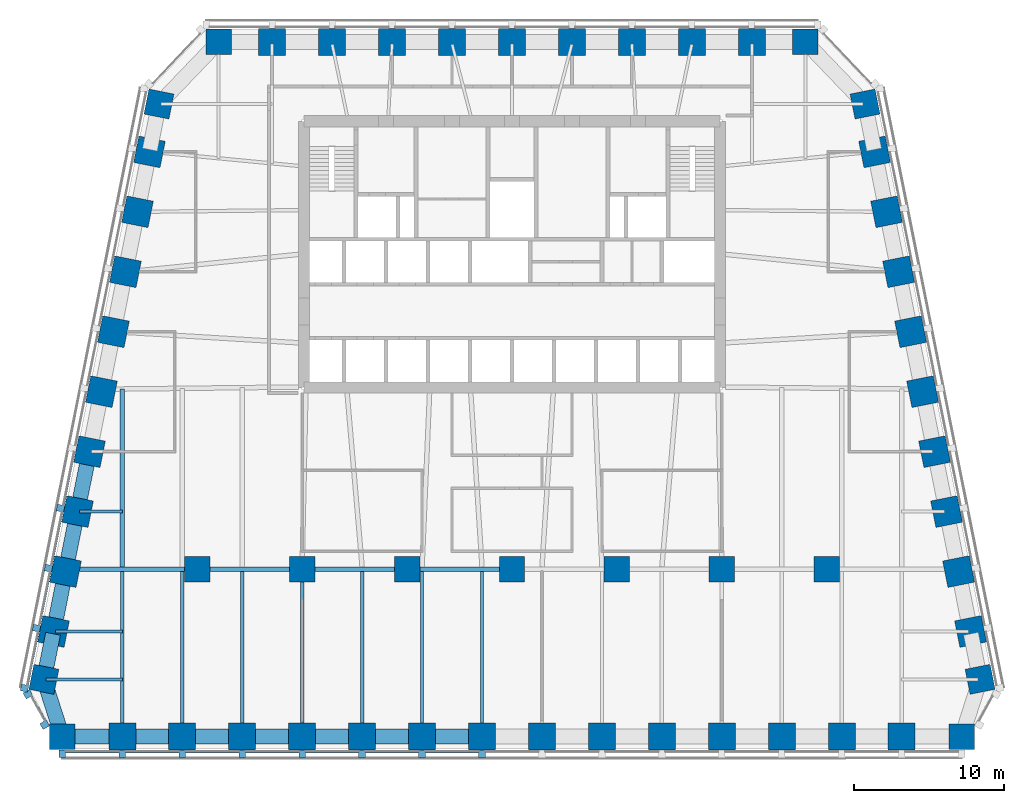
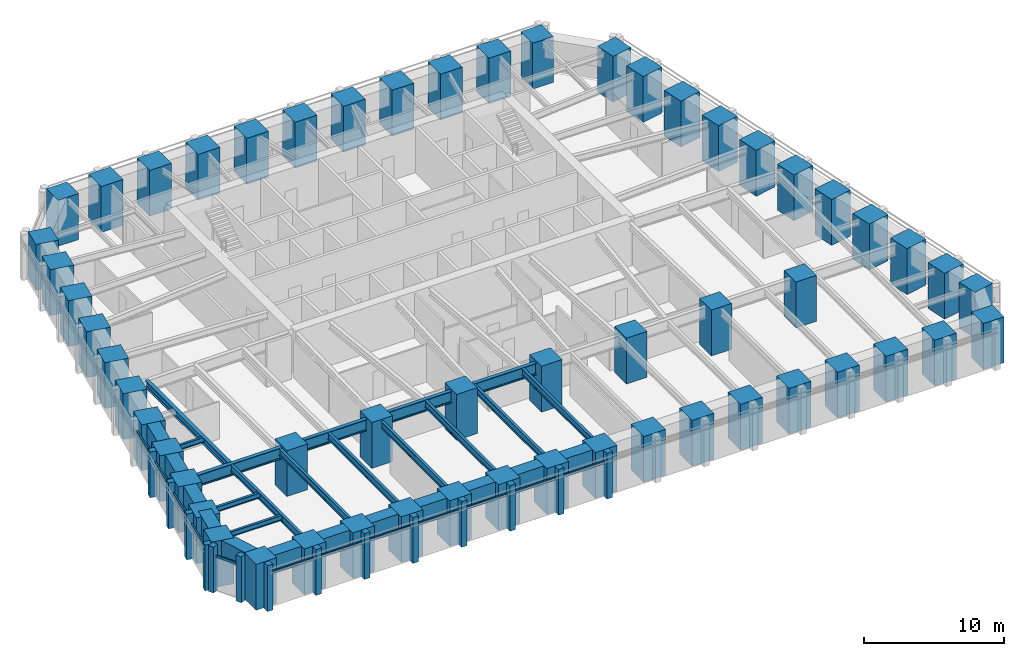
# One storey, part 1 of 10: 56 columns, 27 beams, 26 members, 3 elements without a shape of their own.
"""IFC4 building model written with IfcOpenShell, lengths in metres."""

import ifcopenshell
import ifcopenshell.guid

model = None  # the IFC model being written
_history = None  # IfcOwnerHistory: only IFC2X3 demands one
_inside = {}  # id of a spatial element -> (the spatial element, [elements in it])
_under = {}  # id of a project, library or spatial element -> (it, [spatial elements below it])
_declared = {}  # id of a project -> (the project, [libraries it declares])
_typed = {}  # id of a type object -> (the type object, [elements of that type])
_made_of = {}  # id of a material, layer set ... -> (it, [elements and type objects made of it])


def new_model(schema):
    """Start an empty IFC model of exactly this schema.

    Asked for "IFC4X3", IfcOpenShell would pick the latest addendum, in which some entities
    have other attributes; the version numbers below select the first issue.
    IFC2X3 requires an IfcOwnerHistory on every rooted entity: one is made here for all.
    """
    global model, _history
    if schema == "IFC4X3":
        model = ifcopenshell.file(schema_version=(4, 3, 0, 0))
    else:
        model = ifcopenshell.file(schema=schema)
    _inside.clear()
    _under.clear()
    _declared.clear()
    _typed.clear()
    _made_of.clear()
    _history = None
    if model.schema == "IFC2X3":
        org = make("IfcOrganization", Name="unknown")
        user = make(
            "IfcPersonAndOrganization",
            ThePerson=make("IfcPerson", FamilyName="unknown"),
            TheOrganization=org,
        )
        app = make(
            "IfcApplication",
            ApplicationDeveloper=org,
            Version="unknown",
            ApplicationFullName="unknown",
            ApplicationIdentifier="unknown",
        )
        _history = make(
            "IfcOwnerHistory",
            OwningUser=user,
            OwningApplication=app,
            ChangeAction="ADDED",
            CreationDate=0,
        )
    return model


def make(cls, **values):
    """One entity of the class cls with the attributes given. An attribute that is None is left unset."""
    return model.create_entity(
        cls, **{name: value for name, value in values.items() if value is not None}
    )


def rooted(cls, **values):
    """An entity with a GlobalId (a new one), such as an element, a storey or a relation."""
    return make(cls, GlobalId=ifcopenshell.guid.new(), OwnerHistory=_history, **values)


def si_unit(unit_type, name, prefix=None):
    """IfcSIUnit, for example si_unit("LENGTHUNIT", "METRE", prefix="MILLI")."""
    return make("IfcSIUnit", UnitType=unit_type, Prefix=prefix, Name=name)


def assignment(units):
    """IfcUnitAssignment: the units of a project."""
    return None if units is None else make("IfcUnitAssignment", Units=units)


def point(xyz):
    """IfcCartesianPoint."""
    return None if xyz is None else make("IfcCartesianPoint", Coordinates=xyz)


def direction(xyz):
    """IfcDirection."""
    return None if xyz is None else make("IfcDirection", DirectionRatios=xyz)


def frame(location, z_axis=None, x_axis=None):
    """IfcAxis2Placement3D, a coordinate frame: its origin and axes. An axis left out is left unset."""
    return make(
        "IfcAxis2Placement3D",
        Location=point(location),
        Axis=direction(z_axis),
        RefDirection=direction(x_axis),
    )


def frame_2d(location, x_axis=None):
    """IfcAxis2Placement2D, a coordinate frame in the plane: its origin and x axis."""
    return make(
        "IfcAxis2Placement2D", Location=point(location), RefDirection=direction(x_axis)
    )


def origin():
    """The frame at (0, 0, 0) with its axes left unset."""
    return frame((0.0, 0.0, 0.0))


def origin_2d():
    """The frame at (0, 0) in the plane with its x axis left unset."""
    return frame_2d((0.0, 0.0))


def place(relative_to, where):
    """IfcLocalPlacement: puts the frame where relative to a parent placement (None: the world)."""
    return make(
        "IfcLocalPlacement", PlacementRelTo=relative_to, RelativePlacement=where
    )


def context(
    kind, dimensions, precision=None, world=None, true_north=None, identifier=None
):
    """IfcGeometricRepresentationContext, for example the 3D "Model" context."""
    return make(
        "IfcGeometricRepresentationContext",
        ContextIdentifier=identifier,
        ContextType=kind,
        CoordinateSpaceDimension=dimensions,
        Precision=precision,
        WorldCoordinateSystem=world,
        TrueNorth=true_north,
    )


def subcontext(parent, identifier, kind, view, scale=None):
    """IfcGeometricRepresentationSubContext, for example "Body" below "Model"."""
    return make(
        "IfcGeometricRepresentationSubContext",
        ContextIdentifier=identifier,
        ContextType=kind,
        ParentContext=parent,
        TargetScale=scale,
        TargetView=view,
    )


def project(units=None, contexts=None):
    """IfcProject with its units and contexts."""
    return rooted(
        "IfcProject",
        Name="project",
        RepresentationContexts=contexts,
        UnitsInContext=assignment(units),
    )


def spatial(cls, under=None, at=None, **own):
    """A site, building, storey or space (cls), placed at a placement, below another one or the project."""
    s = rooted(cls, ObjectPlacement=at, **own)
    if under is not None:
        _under.setdefault(under.id(), (under, []))[1].append(s)
    return s


def profile(cls, at=None, kind="AREA", **sizes):
    """A parametric profile (cls). Its sizes go by their IFC names, for example OverallWidth=200.0."""
    return make(cls, ProfileType=kind, Position=at, **sizes)


def rectangle(**sizes):
    """IfcRectangleProfileDef."""
    return profile("IfcRectangleProfileDef", **sizes)


def i_section(**sizes):
    """IfcIShapeProfileDef."""
    return profile("IfcIShapeProfileDef", **sizes)


def extrude(swept, where, along, depth):
    """IfcExtrudedAreaSolid: the profile swept, set in the frame where, extruded along a direction by depth."""
    return make(
        "IfcExtrudedAreaSolid",
        SweptArea=swept,
        Position=where,
        ExtrudedDirection=direction(along),
        Depth=depth,
    )


def shape(context_of_items, identifier, shape_type, items):
    """IfcShapeRepresentation: the items that make up one representation, for example the "Body"."""
    return make(
        "IfcShapeRepresentation",
        ContextOfItems=context_of_items,
        RepresentationIdentifier=identifier,
        RepresentationType=shape_type,
        Items=items,
    )


def material(Name=None, Category=None):
    """IfcMaterial."""
    return make("IfcMaterial", Name=Name, Category=Category)


def material_profile(
    of_material, cross_section, Name=None, Category=None, Priority=None
):
    """IfcMaterialProfile: a cross section and its material."""
    return make(
        "IfcMaterialProfile",
        Name=Name,
        Material=of_material,
        Profile=cross_section,
        Priority=Priority,
        Category=Category,
    )


def profile_set(profiles, Name=None, composite=None):
    """IfcMaterialProfileSet."""
    return make(
        "IfcMaterialProfileSet",
        Name=Name,
        MaterialProfiles=profiles,
        CompositeProfile=composite,
    )


def made_of(thing, what):
    """Note that an element or type object is made of a material, layer set ...; save() writes the relation."""
    if what is not None:
        _made_of.setdefault(what.id(), (what, []))[1].append(thing)
    return thing


def type_object(cls, material=None, **own):
    """A type object (cls), such as IfcWallType, which elements share."""
    return made_of(rooted(cls, **own), material)


def element(
    cls,
    number,
    at=None,
    inside=None,
    cuts=None,
    type_object=None,
    material=None,
    context=None,
    identifier="Body",
    shape_type=None,
    held_by="IfcProductDefinitionShape",
    body=None,
    shapes=None,
    **own,
):
    """One element of the class cls, such as IfcWall. Its Tag is "e" and its number.

    at: its placement. inside: the storey or other place that contains it. cuts: it is an
    opening in that element (IfcRelVoidsElement). A single representation is given by context,
    identifier, shape_type and body (its items); several are given by shapes. held_by: the class
    of the entity that holds the representations. save() writes the other relations.
    """
    e = rooted(cls, Tag="e%d" % number, ObjectPlacement=at, **own)
    if body is not None:
        shapes = [shape(context, identifier, shape_type, body)]
    if shapes is not None:
        e.Representation = make(held_by, Representations=shapes)
    if inside is not None:
        _inside.setdefault(inside.id(), (inside, []))[1].append(e)
    if cuts is not None:
        rooted(
            "IfcRelVoidsElement", RelatingBuildingElement=cuts, RelatedOpeningElement=e
        )
    if type_object is not None:
        _typed.setdefault(type_object.id(), (type_object, []))[1].append(e)
    return made_of(e, material)


def aggregate(whole, parts):
    """IfcRelAggregates: a whole, such as a stair, and the parts it consists of."""
    return rooted("IfcRelAggregates", RelatingObject=whole, RelatedObjects=parts)


def save(model, path):
    """Write the relations noted so far, then the file.

    IfcRelAggregates (storeys below a building ...), IfcRelContainedInSpatialStructure (elements
    in a storey), IfcRelDefinesByType, IfcRelAssociatesMaterial and IfcRelDeclares: one each for
    every whole, place, type object, material and project.
    """
    for whole, parts in _under.values():
        aggregate(whole, parts)
    for where, things in _inside.values():
        rooted(
            "IfcRelContainedInSpatialStructure",
            RelatedElements=things,
            RelatingStructure=where,
        )
    for kind, things in _typed.values():
        rooted("IfcRelDefinesByType", RelatedObjects=things, RelatingType=kind)
    for what, things in _made_of.values():
        rooted("IfcRelAssociatesMaterial", RelatedObjects=things, RelatingMaterial=what)
    for by, libraries in _declared.values():
        rooted("IfcRelDeclares", RelatingContext=by, RelatedDefinitions=libraries)
    model.write(path)


model = new_model("IFC4")

# Units and contexts
model_context = context("Model", 3, precision=1e-05, world=origin(), true_north=direction((0.0, 1.0)))
body_context = subcontext(model_context, "Body", "Model", "MODEL_VIEW")
ifc_project = project(units=[si_unit("LENGTHUNIT", "METRE"), si_unit("AREAUNIT", "SQUARE_METRE"), si_unit("VOLUMEUNIT", "CUBIC_METRE"), si_unit("PLANEANGLEUNIT", "RADIAN"), si_unit("MASSUNIT", "GRAM", prefix="KILO")], contexts=[model_context])

# Site, building, storey
site_placement = place(None, origin())
site = spatial("IfcSite", under=ifc_project, at=site_placement, CompositionType="ELEMENT")
building_placement = place(site_placement, origin())
building = spatial("IfcBuilding", under=site, at=building_placement, Name="Isbrekke Arena Tower", CompositionType="ELEMENT")
storey_placement = place(building_placement, frame((0.0, 0.0, 147.0)))
storey = spatial("IfcBuildingStorey", under=building, at=storey_placement, Name="L33", CompositionType="ELEMENT", Elevation=147.0)

# Columns
ifc_material_1 = material(Name="Concrete B80 (C80/95)", Category="concrete")
ifc_material_profile_1 = material_profile(ifc_material_1, rectangle(XDim=1.699951171875, YDim=1.699951171875, at=origin_2d()), Name="RC 1700x1700")
ifc_profile_set_1 = profile_set([ifc_material_profile_1], Name="Concrete B80 (C80/95)")
column_type_1 = type_object("IfcColumnType", Name="C12 RC 1700 x 1700", PredefinedType="COLUMN", material=ifc_profile_set_1)
for number, where, z_axis, x_axis, name in (
    (1, (-21.0, -6.0, 0.0), (0.0, 0.0, 1.0), (1.0, 0.0, 0.0), "C12 I01"),
    (2, (-14.0, -6.0, 0.0), (0.0, 0.0, 1.0), (1.0, 0.0, 0.0), "C12 I02"),
    (3, (-7.0, -6.0, 0.0), (0.0, 0.0, 1.0), (1.0, 0.0, 0.0), "C12 I03"),
    (4, (0.0, -6.0, 0.0), (0.0, 0.0, 1.0), (1.0, 0.0, 0.0), "C12 I04"),
    (5, (7.0, -6.0, 0.0), (0.0, 0.0, 1.0), (1.0, 0.0, 0.0), "C12 I05"),
    (6, (14.0, -6.0, 0.0), (0.0, 0.0, 1.0), (1.0, 0.0, 0.0), "C12 I06"),
    (7, (21.0, -6.0, 0.0), (0.0, 0.0, 1.0), (1.0, 0.0, 0.0), "C12 I07"),
):
    element("IfcColumn", number, at=place(storey_placement, frame(where, z_axis=z_axis, x_axis=x_axis)), inside=storey, type_object=column_type_1, Name=name, PredefinedType="COLUMN", context=body_context, shape_type="SweptSolid", body=[
        extrude(rectangle(XDim=1.699951171875, YDim=1.699951171875, at=origin_2d()), origin(), (0.0, 0.0, 1.0), 4.0),
    ])
ifc_material_2 = material(Name="Concrete B80 (C80/95)", Category="concrete")
ifc_material_profile_2 = material_profile(ifc_material_2, rectangle(XDim=1.800048828125, YDim=1.800048828125, at=origin_2d()), Name="RC 1800x1800")
ifc_profile_set_2 = profile_set([ifc_material_profile_2], Name="Concrete B80 (C80/95)")
column_type_2 = type_object("IfcColumnType", Name="C3 RC 1800 x 1800", PredefinedType="COLUMN", material=ifc_profile_set_2)
for number, where, z_axis, x_axis, name in (
    (8, (-26.0, -17.175048828125, 0.0), (0.0, 0.0, 1.0), (1.0, 0.0, 0.0), "C3 S02"),
    (9, (-22.0, -17.175048828125, 0.0), (0.0, 0.0, 1.0), (1.0, 0.0, 0.0), "C3 S03"),
    (10, (-18.0, -17.175048828125, 0.0), (0.0, 0.0, 1.0), (1.0, 0.0, 0.0), "C3 S04"),
    (11, (-14.0, -17.175048828125, 0.0), (0.0, 0.0, 1.0), (1.0, 0.0, 0.0), "C3 S05"),
    (12, (-10.0, -17.175048828125, 0.0), (0.0, 0.0, 1.0), (1.0, 0.0, 0.0), "C3 S06"),
    (13, (-6.0, -17.175048828125, 0.0), (0.0, 0.0, 1.0), (1.0, 0.0, 0.0), "C3 S07"),
    (14, (-2.0, -17.175048828125, 0.0), (0.0, 0.0, 1.0), (1.0, 0.0, 0.0), "C3 S08"),
    (15, (2.0, -17.175048828125, 0.0), (0.0, 0.0, 1.0), (1.0, 0.0, 0.0), "C3 S09"),
    (16, (6.0, -17.175048828125, 0.0), (0.0, 0.0, 1.0), (1.0, 0.0, 0.0), "C3 S10"),
    (17, (10.0, -17.175048828125, 0.0), (0.0, 0.0, 1.0), (1.0, 0.0, 0.0), "C3 S11"),
    (18, (14.0, -17.175048828125, 0.0), (0.0, 0.0, 1.0), (1.0, 0.0, 0.0), "C3 S12"),
    (19, (18.0, -17.175048828125, 0.0), (0.0, 0.0, 1.0), (1.0, 0.0, 0.0), "C3 S13"),
    (20, (22.0, -17.175048828125, 0.0), (0.0, 0.0, 1.0), (1.0, 0.0, 0.0), "C3 S14"),
    (21, (26.0, -17.175048828125, 0.0), (0.0, 0.0, 1.0), (1.0, 0.0, 0.0), "C3 S15"),
    (22, (30.591064453125, -10.161865234375, 0.0), (0.0, 0.0, 1.0), (-0.196116135138, 0.980580675691, 0.0), "C3 E02"),
    (23, (29.791015625, -6.161865234375, 0.0), (0.0, 0.0, 1.0), (-0.196116135138, 0.980580675691, 0.0), "C3 E03"),
    (24, (28.990966796875, -2.161865234375, 0.0), (0.0, 0.0, 1.0), (-0.196116135138, 0.980580675691, 0.0), "C3 E04"),
    (25, (28.19091796875, 1.838134765625, 0.0), (0.0, 0.0, 1.0), (-0.196116135138, 0.980580675691, 0.0), "C3 E05"),
    (26, (27.39111328125, 5.838134765625, 0.0), (0.0, 0.0, 1.0), (-0.196116135138, 0.980580675691, 0.0), "C3 E06"),
    (27, (26.591064453125, 9.838134765625, 0.0), (0.0, 0.0, 1.0), (-0.196116135138, 0.980580675691, 0.0), "C3 E07"),
    (28, (25.791015625, 13.838134765625, 0.0), (0.0, 0.0, 1.0), (-0.196116135138, 0.980580675691, 0.0), "C3 E08"),
    (29, (24.990966796875, 17.838134765625, 0.0), (0.0, 0.0, 1.0), (-0.196116135138, 0.980580675691, 0.0), "C3 E09"),
    (30, (24.19091796875, 21.838134765625, 0.0), (0.0, 0.0, 1.0), (-0.196116135138, 0.980580675691, 0.0), "C3 E10"),
    (31, (16.0, 29.175048828125, 0.0), (0.0, 0.0, 1.0), (-1.0, 0.0, 0.0), "C3 N02"),
    (32, (12.0, 29.175048828125, 0.0), (0.0, 0.0, 1.0), (-1.0, 0.0, 0.0), "C3 N03"),
    (33, (8.0, 29.175048828125, 0.0), (0.0, 0.0, 1.0), (-1.0, 0.0, 0.0), "C3 N04"),
    (34, (4.0, 29.175048828125, 0.0), (0.0, 0.0, 1.0), (-1.0, 0.0, 0.0), "C3 N05"),
    (35, (0.0, 29.175048828125, 0.0), (0.0, 0.0, 1.0), (-1.0, 0.0, 0.0), "C3 N06"),
    (36, (-4.0, 29.175048828125, 0.0), (0.0, 0.0, 1.0), (-1.0, 0.0, 0.0), "C3 N07"),
    (37, (-8.0, 29.175048828125, 0.0), (0.0, 0.0, 1.0), (-1.0, 0.0, 0.0), "C3 N08"),
    (38, (-12.0, 29.175048828125, 0.0), (0.0, 0.0, 1.0), (-1.0, 0.0, 0.0), "C3 N09"),
    (39, (-16.0, 29.175048828125, 0.0), (0.0, 0.0, 1.0), (-1.0, 0.0, 0.0), "C3 N10"),
    (40, (-24.19091796875, 21.838134765625, 0.0), (0.0, 0.0, 1.0), (-0.196116135138, -0.980580675691, 0.0), "C3 W02"),
    (41, (-24.990966796875, 17.838134765625, 0.0), (0.0, 0.0, 1.0), (-0.196116135138, -0.980580675691, 0.0), "C3 W03"),
    (42, (-25.791015625, 13.838134765625, 0.0), (0.0, 0.0, 1.0), (-0.196116135138, -0.980580675691, 0.0), "C3 W04"),
    (43, (-26.591064453125, 9.838134765625, 0.0), (0.0, 0.0, 1.0), (-0.196116135138, -0.980580675691, 0.0), "C3 W05"),
    (44, (-27.39111328125, 5.838134765625, 0.0), (0.0, 0.0, 1.0), (-0.196116135138, -0.980580675691, 0.0), "C3 W06"),
    (45, (-28.19091796875, 1.838134765625, 0.0), (0.0, 0.0, 1.0), (-0.196116135138, -0.980580675691, 0.0), "C3 W07"),
    (46, (-28.990966796875, -2.161865234375, 0.0), (0.0, 0.0, 1.0), (-0.196116135138, -0.980580675691, 0.0), "C3 W08"),
    (47, (-29.791015625, -6.161865234375, 0.0), (0.0, 0.0, 1.0), (-0.196116135138, -0.980580675691, 0.0), "C3 W09"),
    (48, (-30.591064453125, -10.161865234375, 0.0), (0.0, 0.0, 1.0), (-0.196116135138, -0.980580675691, 0.0), "C3 W10"),
):
    element("IfcColumn", number, at=place(storey_placement, frame(where, z_axis=z_axis, x_axis=x_axis)), inside=storey, type_object=column_type_2, Name=name, PredefinedType="COLUMN", context=body_context, shape_type="SweptSolid", body=[
        extrude(rectangle(XDim=1.800048828125, YDim=1.800048828125, at=origin_2d()), origin(), (0.0, 0.0, 1.0), 4.0),
    ])
ifc_material_3 = material(Name="Concrete B80 (C80/95)", Category="concrete")
ifc_material_profile_3 = material_profile(ifc_material_3, rectangle(XDim=1.699951171875, YDim=1.699951171875, at=origin_2d()), Name="RC 1700x1700")
ifc_profile_set_3 = profile_set([ifc_material_profile_3], Name="Concrete B80 (C80/95)")
column_type_3 = type_object("IfcColumnType", Name="C7 RC 1700 x 1700", PredefinedType="COLUMN", material=ifc_profile_set_3)
for number, where, z_axis, x_axis, name in (
    (49, (-30.0, -17.175048828125, 0.0), (0.0, 0.0, 1.0), (1.0, 0.0, 0.0), "C7 S01"),
    (50, (30.0, -17.175048828125, 0.0), (0.0, 0.0, 1.0), (1.0, 0.0, 0.0), "C7 S16"),
    (51, (31.229248046875, -13.352783203125, 0.0), (0.0, 0.0, 1.0), (-0.196116135138, 0.980580675691, 0.0), "C7 E01"),
    (52, (23.552734375, 25.029296875, 0.0), (0.0, 0.0, 1.0), (-0.196116135138, 0.980580675691, 0.0), "C7 E11"),
    (53, (19.574951171875, 29.175048828125, 0.0), (0.0, 0.0, 1.0), (-1.0, 0.0, 0.0), "C7 N01"),
    (54, (-19.574951171875, 29.175048828125, 0.0), (0.0, 0.0, 1.0), (-1.0, 0.0, 0.0), "C7 N11"),
    (55, (-23.552734375, 25.029296875, 0.0), (0.0, 0.0, 1.0), (-0.196116135138, -0.980580675691, 0.0), "C7 W01"),
    (56, (-31.229248046875, -13.352783203125, 0.0), (0.0, 0.0, 1.0), (-0.196116135138, -0.980580675691, 0.0), "C7 W11"),
):
    element("IfcColumn", number, at=place(storey_placement, frame(where, z_axis=z_axis, x_axis=x_axis)), inside=storey, type_object=column_type_3, Name=name, PredefinedType="COLUMN", context=body_context, shape_type="SweptSolid", body=[
        extrude(rectangle(XDim=1.699951171875, YDim=1.699951171875, at=origin_2d()), origin(), (0.0, 0.0, 1.0), 4.0),
    ])

# Beams
ifc_material_4 = material(Name="Steel S355", Category="steel")
ifc_material_profile_4 = material_profile(ifc_material_4, i_section(OverallWidth=0.219970703125, OverallDepth=0.60009765625, WebThickness=0.011962890625, FlangeThickness=0.01904296875, FilletRadius=0.02392578125, at=origin_2d()), Name="IPE 600")
ifc_profile_set_4 = profile_set([ifc_material_profile_4], Name="Steel S355")
beam_type_1 = type_object("IfcBeamType", Name="B1 IPE 600", PredefinedType="BEAM", material=ifc_profile_set_4)
for number, where, z_axis, x_axis, name in (
    (57, (-26.0, -17.02490234375, 3.550048828125), (0.0, 1.0, 0.0), (-1.0, 0.0, 0.0), "B1 beam S-S02 L33"),
    (58, (-22.0, -17.02490234375, 3.550048828125), (0.0, 1.0, 0.0), (-1.0, 0.0, 0.0), "B1 beam S-S03 L33"),
    (59, (-18.0, -17.02490234375, 3.550048828125), (0.0, 1.0, 0.0), (-1.0, 0.0, 0.0), "B1 beam S-S04 L33"),
):
    element("IfcBeam", number, at=place(storey_placement, frame(where, z_axis=z_axis, x_axis=x_axis)), inside=storey, type_object=beam_type_1, Name=name, PredefinedType="BEAM", context=body_context, shape_type="SweptSolid", body=[
        extrude(i_section(OverallWidth=0.219970703125, OverallDepth=0.60009765625, WebThickness=0.011962890625, FlangeThickness=0.01904296875, FilletRadius=0.02392578125, at=origin_2d()), origin(), (0.0, 0.0, 1.0), 10.8740234375),
    ])
beam_1_placement = place(storey_placement, frame((-14.0, -17.02490234375, 3.550048828125), z_axis=(0.0, 1.0, 0.0), x_axis=(-1.0, 0.0, 0.0)))
element("IfcBeam", 60, at=beam_1_placement, inside=storey, type_object=beam_type_1, Name="B1 beam S-S05 L33", PredefinedType="BEAM", context=body_context, shape_type="SweptSolid", body=[
    extrude(i_section(OverallWidth=0.219970703125, OverallDepth=0.60009765625, WebThickness=0.011962890625, FlangeThickness=0.01904296875, FilletRadius=0.02392578125, at=origin_2d()), origin(), (0.0, 0.0, 1.0), 10.875),
])
for number, where, z_axis, x_axis, name in (
    (61, (-10.0, -17.02490234375, 3.550048828125), (0.0, 1.0, 0.0), (-1.0, 0.0, 0.0), "B1 beam S-S06 L33"),
    (62, (-6.0, -17.02490234375, 3.550048828125), (0.0, 1.0, 0.0), (-1.0, 0.0, 0.0), "B1 beam S-S07 L33"),
    (63, (-2.0, -17.02490234375, 3.550048828125), (0.0, 1.0, 0.0), (-1.0, 0.0, 0.0), "B1 beam S-S08 L33"),
):
    element("IfcBeam", number, at=place(storey_placement, frame(where, z_axis=z_axis, x_axis=x_axis)), inside=storey, type_object=beam_type_1, Name=name, PredefinedType="BEAM", context=body_context, shape_type="SweptSolid", body=[
        extrude(i_section(OverallWidth=0.219970703125, OverallDepth=0.60009765625, WebThickness=0.011962890625, FlangeThickness=0.01904296875, FilletRadius=0.02392578125, at=origin_2d()), origin(), (0.0, 0.0, 1.0), 10.8740234375),
    ])
ifc_material_5 = material(Name="Steel S355", Category="steel")
ifc_material_profile_5 = material_profile(ifc_material_5, i_section(OverallWidth=0.18994140625, OverallDepth=0.449951171875, WebThickness=0.009521484375, FlangeThickness=0.0146484375, FilletRadius=0.02099609375, at=origin_2d()), Name="IPE 450")
ifc_profile_set_5 = profile_set([ifc_material_profile_5], Name="Steel S355")
beam_type_2 = type_object("IfcBeamType", Name="B2 IPE 450", PredefinedType="BEAM", material=ifc_profile_set_5)
beam_2_placement = place(storey_placement, frame((-28.841064453125, -2.161865234375, 3.625), z_axis=(1.0, 0.0, 0.0), x_axis=(0.0, 1.0, 0.0)))
element("IfcBeam", 64, at=beam_2_placement, inside=storey, type_object=beam_type_2, Name="B2 beam E-W08 L33", PredefinedType="BEAM", context=body_context, shape_type="SweptSolid", body=[
    extrude(i_section(OverallWidth=0.18994140625, OverallDepth=0.449951171875, WebThickness=0.009521484375, FlangeThickness=0.0146484375, FilletRadius=0.02099609375, at=origin_2d()), origin(), (0.0, 0.0, 1.0), 2.841064453125),
])
beam_3_placement = place(storey_placement, frame((-30.44091796875, -10.161865234375, 3.625), z_axis=(1.0, 0.0, 0.0), x_axis=(0.0, 1.0, 0.0)))
element("IfcBeam", 65, at=beam_3_placement, inside=storey, type_object=beam_type_2, Name="B2 beam E-W10 L33", PredefinedType="BEAM", context=body_context, shape_type="SweptSolid", body=[
    extrude(i_section(OverallWidth=0.18994140625, OverallDepth=0.449951171875, WebThickness=0.009521484375, FlangeThickness=0.0146484375, FilletRadius=0.02099609375, at=origin_2d()), origin(), (0.0, 0.0, 1.0), 4.44091796875),
])
beam_4_placement = place(storey_placement, frame((-31.079345703125, -13.352783203125, 3.625), z_axis=(1.0, 0.0, 0.0), x_axis=(0.0, 1.0, 0.0)))
element("IfcBeam", 66, at=beam_4_placement, inside=storey, type_object=beam_type_2, Name="B2 beam E-W11 L33", PredefinedType="BEAM", context=body_context, shape_type="SweptSolid", body=[
    extrude(i_section(OverallWidth=0.18994140625, OverallDepth=0.449951171875, WebThickness=0.009521484375, FlangeThickness=0.0146484375, FilletRadius=0.02099609375, at=origin_2d()), origin(), (0.0, 0.0, 1.0), 5.079345703125),
])
ifc_material_6 = material(Name="Steel S355", Category="steel")
ifc_material_profile_6 = material_profile(ifc_material_6, i_section(OverallWidth=0.300048828125, OverallDepth=0.60009765625, WebThickness=0.015380859375, FlangeThickness=0.030029296875, FilletRadius=0.027099609375, at=origin_2d()), Name="HEB 600")
ifc_profile_set_6 = profile_set([ifc_material_profile_6], Name="Steel S355")
beam_type_3 = type_object("IfcBeamType", Name="B7 HEB 600", PredefinedType="BEAM", material=ifc_profile_set_6)
beam_5_placement = place(storey_placement, frame((-26.0, -5.84912109375, 3.550048828125), z_axis=(0.0, 1.0, 0.0), x_axis=(-1.0, 0.0, 0.0)))
element("IfcBeam", 67, at=beam_5_placement, inside=storey, type_object=beam_type_3, Name="B7 beam C-M01 L33", PredefinedType="BEAM", context=body_context, shape_type="SweptSolid", body=[
    extrude(i_section(OverallWidth=0.300048828125, OverallDepth=0.60009765625, WebThickness=0.015380859375, FlangeThickness=0.030029296875, FilletRadius=0.027099609375, at=origin_2d()), origin(), (0.0, 0.0, 1.0), 11.864990234375),
])

# Curtain wall, members
ifc_material_7 = material(Name="Glazed aluminium curtain wall", Category="aluminium")
curtain_wall_type = type_object("IfcCurtainWallType", Name="CWM TOWER CURTAIN WALL MID ZONE", PredefinedType="USERDEFINED", material=ifc_material_7)
curtain_wall_1_placement = place(storey_placement, origin())
curtain_wall_1 = element("IfcCurtainWall", 68, at=curtain_wall_1_placement, inside=storey, type_object=curtain_wall_type, Name="CWM curtain wall L33-S", ObjectType="TOWER CURTAIN WALL MID ZONE", PredefinedType="USERDEFINED")
ifc_material_8 = material(Name="Aluminium mullion, pale brick slip cladding", Category="masonry")
ifc_material_profile_7 = material_profile(ifc_material_8, rectangle(XDim=0.449951171875, YDim=0.5, at=origin_2d()), Name="PIER 450X500")
ifc_profile_set_7 = profile_set([ifc_material_profile_7], Name="Aluminium mullion, pale brick slip cladding")
member_type_1 = type_object("IfcMemberType", Name="CWM-M PIER MULLION 450 x 500", PredefinedType="MULLION", material=ifc_profile_set_7)
member_1_placement = place(storey_placement, frame((-30.0, -18.324951171875, 0.0), z_axis=(0.0, 0.0, 1.0), x_axis=(1.0, 0.0, 0.0)))
member_1 = element("IfcMember", 69, at=member_1_placement, type_object=member_type_1, Name="CWM-M mullion 1", PredefinedType="MULLION", context=body_context, shape_type="SweptSolid", body=[
    extrude(rectangle(XDim=0.449951171875, YDim=0.5, at=origin_2d()), origin(), (0.0, 0.0, 1.0), 4.0),
])
member_2_placement = place(storey_placement, frame((-26.0, -18.324951171875, 0.0), z_axis=(0.0, 0.0, 1.0), x_axis=(1.0, 0.0, 0.0)))
member_2 = element("IfcMember", 70, at=member_2_placement, type_object=member_type_1, Name="CWM-M mullion 2", PredefinedType="MULLION", context=body_context, shape_type="SweptSolid", body=[
    extrude(rectangle(XDim=0.449951171875, YDim=0.5, at=origin_2d()), origin(), (0.0, 0.0, 1.0), 4.0),
])
member_3_placement = place(storey_placement, frame((-22.0, -18.324951171875, 0.0), z_axis=(0.0, 0.0, 1.0), x_axis=(1.0, 0.0, 0.0)))
member_3 = element("IfcMember", 71, at=member_3_placement, type_object=member_type_1, Name="CWM-M mullion 3", PredefinedType="MULLION", context=body_context, shape_type="SweptSolid", body=[
    extrude(rectangle(XDim=0.449951171875, YDim=0.5, at=origin_2d()), origin(), (0.0, 0.0, 1.0), 4.0),
])
member_4_placement = place(storey_placement, frame((-18.0, -18.324951171875, 0.0), z_axis=(0.0, 0.0, 1.0), x_axis=(1.0, 0.0, 0.0)))
member_4 = element("IfcMember", 72, at=member_4_placement, type_object=member_type_1, Name="CWM-M mullion 4", PredefinedType="MULLION", context=body_context, shape_type="SweptSolid", body=[
    extrude(rectangle(XDim=0.449951171875, YDim=0.5, at=origin_2d()), origin(), (0.0, 0.0, 1.0), 4.0),
])
member_5_placement = place(storey_placement, frame((-14.0, -18.324951171875, 0.0), z_axis=(0.0, 0.0, 1.0), x_axis=(1.0, 0.0, 0.0)))
member_5 = element("IfcMember", 73, at=member_5_placement, type_object=member_type_1, Name="CWM-M mullion 5", PredefinedType="MULLION", context=body_context, shape_type="SweptSolid", body=[
    extrude(rectangle(XDim=0.449951171875, YDim=0.5, at=origin_2d()), origin(), (0.0, 0.0, 1.0), 4.0),
])
member_6_placement = place(storey_placement, frame((-10.0, -18.324951171875, 0.0), z_axis=(0.0, 0.0, 1.0), x_axis=(1.0, 0.0, 0.0)))
member_6 = element("IfcMember", 74, at=member_6_placement, type_object=member_type_1, Name="CWM-M mullion 6", PredefinedType="MULLION", context=body_context, shape_type="SweptSolid", body=[
    extrude(rectangle(XDim=0.449951171875, YDim=0.5, at=origin_2d()), origin(), (0.0, 0.0, 1.0), 4.0),
])
member_7_placement = place(storey_placement, frame((-6.0, -18.324951171875, 0.0), z_axis=(0.0, 0.0, 1.0), x_axis=(1.0, 0.0, 0.0)))
member_7 = element("IfcMember", 75, at=member_7_placement, type_object=member_type_1, Name="CWM-M mullion 7", PredefinedType="MULLION", context=body_context, shape_type="SweptSolid", body=[
    extrude(rectangle(XDim=0.449951171875, YDim=0.5, at=origin_2d()), origin(), (0.0, 0.0, 1.0), 4.0),
])
member_8_placement = place(storey_placement, frame((-2.0, -18.324951171875, 0.0), z_axis=(0.0, 0.0, 1.0), x_axis=(1.0, 0.0, 0.0)))
member_8 = element("IfcMember", 76, at=member_8_placement, type_object=member_type_1, Name="CWM-M mullion 8", PredefinedType="MULLION", context=body_context, shape_type="SweptSolid", body=[
    extrude(rectangle(XDim=0.449951171875, YDim=0.5, at=origin_2d()), origin(), (0.0, 0.0, 1.0), 4.0),
])

curtain_wall_2_placement = place(storey_placement, origin())
curtain_wall_2 = element("IfcCurtainWall", 77, at=curtain_wall_2_placement, inside=storey, type_object=curtain_wall_type, Name="CWM curtain wall L33-W", ObjectType="TOWER CURTAIN WALL MID ZONE", PredefinedType="USERDEFINED")
member_9_placement = place(storey_placement, frame((-30.11865234375, -1.936279296875, 0.0), z_axis=(0.0, 0.0, 1.0), x_axis=(-0.196116135138, -0.980580675691, 0.0)))
member_9 = element("IfcMember", 78, at=member_9_placement, type_object=member_type_1, Name="CWM-M mullion 8", PredefinedType="MULLION", context=body_context, shape_type="SweptSolid", body=[
    extrude(rectangle(XDim=0.449951171875, YDim=0.5, at=origin_2d()), origin(), (0.0, 0.0, 1.0), 4.0),
])
member_10_placement = place(storey_placement, frame((-30.918701171875, -5.936279296875, 0.0), z_axis=(0.0, 0.0, 1.0), x_axis=(-0.196116135138, -0.980580675691, 0.0)))
member_10 = element("IfcMember", 79, at=member_10_placement, type_object=member_type_1, Name="CWM-M mullion 9", PredefinedType="MULLION", context=body_context, shape_type="SweptSolid", body=[
    extrude(rectangle(XDim=0.449951171875, YDim=0.5, at=origin_2d()), origin(), (0.0, 0.0, 1.0), 4.0),
])
member_11_placement = place(storey_placement, frame((-31.71875, -9.936279296875, 0.0), z_axis=(0.0, 0.0, 1.0), x_axis=(-0.196116135138, -0.980580675691, 0.0)))
member_11 = element("IfcMember", 80, at=member_11_placement, type_object=member_type_1, Name="CWM-M mullion 10", PredefinedType="MULLION", context=body_context, shape_type="SweptSolid", body=[
    extrude(rectangle(XDim=0.449951171875, YDim=0.5, at=origin_2d()), origin(), (0.0, 0.0, 1.0), 4.0),
])
member_12_placement = place(storey_placement, frame((-32.518798828125, -13.936279296875, 0.0), z_axis=(0.0, 0.0, 1.0), x_axis=(-0.196116135138, -0.980580675691, 0.0)))
member_12 = element("IfcMember", 81, at=member_12_placement, type_object=member_type_1, Name="CWM-M mullion 11", PredefinedType="MULLION", context=body_context, shape_type="SweptSolid", body=[
    extrude(rectangle(XDim=0.449951171875, YDim=0.5, at=origin_2d()), origin(), (0.0, 0.0, 1.0), 4.0),
])

curtain_wall_3_placement = place(storey_placement, origin())
curtain_wall_3 = element("IfcCurtainWall", 82, at=curtain_wall_3_placement, inside=storey, type_object=curtain_wall_type, Name="CWM curtain wall L33-WS", ObjectType="TOWER CURTAIN WALL MID ZONE", PredefinedType="USERDEFINED")
member_13_placement = place(storey_placement, frame((-32.29638671875, -14.34326171875, 0.0), z_axis=(0.0, 0.0, 1.0), x_axis=(0.481918749773, -0.876215908676, 0.0)))
member_13 = element("IfcMember", 83, at=member_13_placement, type_object=member_type_1, Name="CWM-M mullion 1", PredefinedType="MULLION", context=body_context, shape_type="SweptSolid", body=[
    extrude(rectangle(XDim=0.449951171875, YDim=0.5, at=origin_2d()), origin(), (0.0, 0.0, 1.0), 4.0),
])
member_14_placement = place(storey_placement, frame((-31.174560546875, -16.38330078125, 0.0), z_axis=(0.0, 0.0, 1.0), x_axis=(0.481918749773, -0.876215908676, 0.0)))
member_14 = element("IfcMember", 84, at=member_14_placement, type_object=member_type_1, Name="CWM-M mullion 2", PredefinedType="MULLION", context=body_context, shape_type="SweptSolid", body=[
    extrude(rectangle(XDim=0.449951171875, YDim=0.5, at=origin_2d()), origin(), (0.0, 0.0, 1.0), 4.0),
])

# Member
ifc_material_9 = material(Name="Aluminium transom", Category="aluminium")
ifc_material_profile_8 = material_profile(ifc_material_9, rectangle(XDim=0.1201171875, YDim=0.199951171875, at=origin_2d()), Name="TRANSOM 120X200")
ifc_profile_set_8 = profile_set([ifc_material_profile_8], Name="Aluminium transom")
member_type_2 = type_object("IfcMemberType", Name="CWM-T TRANSOM 120 x 200", PredefinedType="USERDEFINED", material=ifc_profile_set_8)
member_15_placement = place(storey_placement, frame((-29.77490234375, -18.175048828125, 3.0), z_axis=(1.0, 0.0, 0.0), x_axis=(0.0, 1.0, 0.0)))
member_15 = element("IfcMember", 85, at=member_15_placement, type_object=member_type_2, Name="CWM-T transom 1", ObjectType="TRANSOM", PredefinedType="USERDEFINED", context=body_context, shape_type="SweptSolid", body=[
    extrude(rectangle(XDim=0.1201171875, YDim=0.199951171875, at=origin_2d()), origin(), (0.0, 0.0, 1.0), 3.5498046875),
])

member_16_placement = place(storey_placement, frame((-25.77490234375, -18.175048828125, 3.0), z_axis=(1.0, 0.0, 0.0), x_axis=(0.0, 1.0, 0.0)))
member_16 = element("IfcMember", 86, at=member_16_placement, type_object=member_type_2, Name="CWM-T transom 2", ObjectType="TRANSOM", PredefinedType="USERDEFINED", context=body_context, shape_type="SweptSolid", body=[
    extrude(rectangle(XDim=0.1201171875, YDim=0.199951171875, at=origin_2d()), origin(), (0.0, 0.0, 1.0), 3.5498046875),
])

member_17_placement = place(storey_placement, frame((-21.77490234375, -18.175048828125, 3.0), z_axis=(1.0, 0.0, 0.0), x_axis=(0.0, 1.0, 0.0)))
member_17 = element("IfcMember", 87, at=member_17_placement, type_object=member_type_2, Name="CWM-T transom 3", ObjectType="TRANSOM", PredefinedType="USERDEFINED", context=body_context, shape_type="SweptSolid", body=[
    extrude(rectangle(XDim=0.1201171875, YDim=0.199951171875, at=origin_2d()), origin(), (0.0, 0.0, 1.0), 3.5498046875),
])

member_18_placement = place(storey_placement, frame((-17.77490234375, -18.175048828125, 3.0), z_axis=(1.0, 0.0, 0.0), x_axis=(0.0, 1.0, 0.0)))
member_18 = element("IfcMember", 88, at=member_18_placement, type_object=member_type_2, Name="CWM-T transom 4", ObjectType="TRANSOM", PredefinedType="USERDEFINED", context=body_context, shape_type="SweptSolid", body=[
    extrude(rectangle(XDim=0.1201171875, YDim=0.199951171875, at=origin_2d()), origin(), (0.0, 0.0, 1.0), 3.5498046875),
])

member_19_placement = place(storey_placement, frame((-13.77490234375, -18.175048828125, 3.0), z_axis=(1.0, 0.0, 0.0), x_axis=(0.0, 1.0, 0.0)))
member_19 = element("IfcMember", 89, at=member_19_placement, type_object=member_type_2, Name="CWM-T transom 5", ObjectType="TRANSOM", PredefinedType="USERDEFINED", context=body_context, shape_type="SweptSolid", body=[
    extrude(rectangle(XDim=0.1201171875, YDim=0.199951171875, at=origin_2d()), origin(), (0.0, 0.0, 1.0), 3.5498046875),
])

member_20_placement = place(storey_placement, frame((-9.77490234375, -18.175048828125, 3.0), z_axis=(1.0, 0.0, 0.0), x_axis=(0.0, 1.0, 0.0)))
member_20 = element("IfcMember", 90, at=member_20_placement, type_object=member_type_2, Name="CWM-T transom 6", ObjectType="TRANSOM", PredefinedType="USERDEFINED", context=body_context, shape_type="SweptSolid", body=[
    extrude(rectangle(XDim=0.1201171875, YDim=0.199951171875, at=origin_2d()), origin(), (0.0, 0.0, 1.0), 3.5498046875),
])

member_21_placement = place(storey_placement, frame((-5.77490234375, -18.175048828125, 3.0), z_axis=(1.0, 0.0, 0.0), x_axis=(0.0, 1.0, 0.0)))
member_21 = element("IfcMember", 91, at=member_21_placement, type_object=member_type_2, Name="CWM-T transom 7", ObjectType="TRANSOM", PredefinedType="USERDEFINED", context=body_context, shape_type="SweptSolid", body=[
    extrude(rectangle(XDim=0.1201171875, YDim=0.199951171875, at=origin_2d()), origin(), (0.0, 0.0, 1.0), 3.5498046875),
])

aggregate(curtain_wall_1, [member_1, member_2, member_3, member_4, member_5, member_6, member_7, member_8, member_15, member_16, member_17, member_18, member_19, member_20, member_21])

member_22_placement = place(storey_placement, frame((-29.2158203125, 1.813720703125, 3.0), z_axis=(-0.196090262229, -0.980585849918, 0.0), x_axis=(0.980585849918, -0.196090262229, 0.0)))
member_22 = element("IfcMember", 92, at=member_22_placement, type_object=member_type_2, Name="CWM-T transom 7", ObjectType="TRANSOM", PredefinedType="USERDEFINED", context=body_context, shape_type="SweptSolid", body=[
    extrude(rectangle(XDim=0.1201171875, YDim=0.199951171875, at=origin_2d()), origin(), (0.0, 0.0, 1.0), 3.62939453125),
])

member_23_placement = place(storey_placement, frame((-30.015625, -2.186279296875, 3.0), z_axis=(-0.196154943734, -0.980572913173, 0.0), x_axis=(0.980572913173, -0.196154943734, 0.0)))
member_23 = element("IfcMember", 93, at=member_23_placement, type_object=member_type_2, Name="CWM-T transom 8", ObjectType="TRANSOM", PredefinedType="USERDEFINED", context=body_context, shape_type="SweptSolid", body=[
    extrude(rectangle(XDim=0.1201171875, YDim=0.199951171875, at=origin_2d()), origin(), (0.0, 0.0, 1.0), 3.62939453125),
])

member_24_placement = place(storey_placement, frame((-30.815673828125, -6.186279296875, 3.0), z_axis=(-0.196154943734, -0.980572913173, 0.0), x_axis=(0.980572913173, -0.196154943734, 0.0)))
member_24 = element("IfcMember", 94, at=member_24_placement, type_object=member_type_2, Name="CWM-T transom 9", ObjectType="TRANSOM", PredefinedType="USERDEFINED", context=body_context, shape_type="SweptSolid", body=[
    extrude(rectangle(XDim=0.1201171875, YDim=0.199951171875, at=origin_2d()), origin(), (0.0, 0.0, 1.0), 3.62939453125),
])

member_25_placement = place(storey_placement, frame((-31.61572265625, -10.186279296875, 3.0), z_axis=(-0.196090262229, -0.980585849918, 0.0), x_axis=(0.980585849918, -0.196090262229, 0.0)))
member_25 = element("IfcMember", 95, at=member_25_placement, type_object=member_type_2, Name="CWM-T transom 10", ObjectType="TRANSOM", PredefinedType="USERDEFINED", context=body_context, shape_type="SweptSolid", body=[
    extrude(rectangle(XDim=0.1201171875, YDim=0.199951171875, at=origin_2d()), origin(), (0.0, 0.0, 1.0), 3.62939453125),
])

aggregate(curtain_wall_2, [member_9, member_10, member_11, member_12, member_22, member_23, member_24, member_25])

member_26_placement = place(storey_placement, frame((-32.056640625, -14.46826171875, 3.0), z_axis=(0.481918749772, -0.876215908677, 0.0), x_axis=(0.876215908677, 0.481918749772, 0.0)))
member_26 = element("IfcMember", 96, at=member_26_placement, type_object=member_type_2, Name="CWM-T transom 1", ObjectType="TRANSOM", PredefinedType="USERDEFINED", context=body_context, shape_type="SweptSolid", body=[
    extrude(rectangle(XDim=0.1201171875, YDim=0.199951171875, at=origin_2d()), origin(), (0.0, 0.0, 1.0), 1.8779296875),
])

aggregate(curtain_wall_3, [member_13, member_14, member_26])

# Beams
ifc_material_10 = material(Name="Steel S355", Category="steel")
ifc_material_profile_9 = material_profile(ifc_material_10, i_section(OverallWidth=0.302001953125, OverallDepth=1.008056640625, WebThickness=0.02099609375, FlangeThickness=0.0400390625, FilletRadius=0.030029296875, at=origin_2d()), Name="HEM 1000")
ifc_profile_set_9 = profile_set([ifc_material_profile_9], Name="Steel S355")
beam_type_4 = type_object("IfcBeamType", Name="G1 HEM 1000", PredefinedType="BEAM", material=ifc_profile_set_9)
beam_6_placement = place(storey_placement, frame((-29.791015625, -6.0, 3.345947265625), z_axis=(1.0, 0.0, 0.0), x_axis=(0.0, 1.0, 0.0)))
element("IfcBeam", 97, at=beam_6_placement, inside=storey, type_object=beam_type_4, Name="G1 beam G1-01 L33", PredefinedType="BEAM", context=body_context, shape_type="SweptSolid", body=[
    extrude(i_section(OverallWidth=0.302001953125, OverallDepth=1.008056640625, WebThickness=0.02099609375, FlangeThickness=0.0400390625, FilletRadius=0.030029296875, at=origin_2d()), origin(), (0.0, 0.0, 1.0), 8.64111328125),
])
for number, where, z_axis, x_axis, name in (
    (98, (-20.85009765625, -6.0, 3.345947265625), (1.0, 0.0, 0.0), (0.0, 1.0, 0.0), "G1 beam G1-02 L33"),
    (99, (-13.85009765625, -6.0, 3.345947265625), (1.0, 0.0, 0.0), (0.0, 1.0, 0.0), "G1 beam G1-03 L33"),
    (100, (-6.85009765625, -6.0, 3.345947265625), (1.0, 0.0, 0.0), (0.0, 1.0, 0.0), "G1 beam G1-04 L33"),
):
    element("IfcBeam", number, at=place(storey_placement, frame(where, z_axis=z_axis, x_axis=x_axis)), inside=storey, type_object=beam_type_4, Name=name, PredefinedType="BEAM", context=body_context, shape_type="SweptSolid", body=[
        extrude(i_section(OverallWidth=0.302001953125, OverallDepth=1.008056640625, WebThickness=0.02099609375, FlangeThickness=0.0400390625, FilletRadius=0.030029296875, at=origin_2d()), origin(), (0.0, 0.0, 1.0), 6.7001953125),
    ])
ifc_material_11 = material(Name="Concrete B80 (C80/95)", Category="concrete")
ifc_material_profile_10 = material_profile(ifc_material_11, rectangle(XDim=1.0, YDim=1.60009765625, at=origin_2d()), Name="RC 1000x1600")
ifc_profile_set_10 = profile_set([ifc_material_profile_10], Name="Concrete B80 (C80/95)")
beam_type_5 = type_object("IfcBeamType", Name="SB2 RC 1000 x 1600", PredefinedType="SPANDREL", material=ifc_profile_set_10)
for number, where, z_axis, x_axis, name in (
    (101, (-29.85009765625, -17.175048828125, 3.199951171875), (1.0, 0.0, 0.0), (0.0, 1.0, 0.0), "SB2 spandrel S01-S02 L33"),
    (102, (-25.85009765625, -17.175048828125, 3.199951171875), (1.0, 0.0, 0.0), (0.0, 1.0, 0.0), "SB2 spandrel S02-S03 L33"),
    (103, (-21.85009765625, -17.175048828125, 3.199951171875), (1.0, 0.0, 0.0), (0.0, 1.0, 0.0), "SB2 spandrel S03-S04 L33"),
    (104, (-17.85009765625, -17.175048828125, 3.199951171875), (1.0, 0.0, 0.0), (0.0, 1.0, 0.0), "SB2 spandrel S04-S05 L33"),
    (105, (-13.85009765625, -17.175048828125, 3.199951171875), (1.0, 0.0, 0.0), (0.0, 1.0, 0.0), "SB2 spandrel S05-S06 L33"),
    (106, (-9.85009765625, -17.175048828125, 3.199951171875), (1.0, 0.0, 0.0), (0.0, 1.0, 0.0), "SB2 spandrel S06-S07 L33"),
    (107, (-5.85009765625, -17.175048828125, 3.199951171875), (1.0, 0.0, 0.0), (0.0, 1.0, 0.0), "SB2 spandrel S07-S08 L33"),
):
    element("IfcBeam", number, at=place(storey_placement, frame(where, z_axis=z_axis, x_axis=x_axis)), inside=storey, type_object=beam_type_5, Name=name, PredefinedType="SPANDREL", context=body_context, shape_type="SweptSolid", body=[
        extrude(rectangle(XDim=1.0, YDim=1.60009765625, at=origin_2d()), origin(), (0.0, 0.0, 1.0), 3.7001953125),
    ])
for number, where, z_axis, x_axis, name in (
    (108, (-28.220458984375, 1.691162109375, 3.199951171875), (-0.196128558387, -0.980578190959, 0.0), (0.980578190959, -0.196128558387, 0.0), "SB2 spandrel W07-W08 L33"),
    (109, (-29.0205078125, -2.308837890625, 3.199951171875), (-0.196128558387, -0.980578190959, 0.0), (0.980578190959, -0.196128558387, 0.0), "SB2 spandrel W08-W09 L33"),
):
    element("IfcBeam", number, at=place(storey_placement, frame(where, z_axis=z_axis, x_axis=x_axis)), inside=storey, type_object=beam_type_5, Name=name, PredefinedType="SPANDREL", context=body_context, shape_type="SweptSolid", body=[
        extrude(rectangle(XDim=1.0, YDim=1.60009765625, at=origin_2d()), origin(), (0.0, 0.0, 1.0), 3.779296875),
    ])
beam_7_placement = place(storey_placement, frame((-29.820556640625, -6.308837890625, 3.199951171875), z_axis=(-0.1960664412, -0.980590613169, 0.0), x_axis=(0.980590613169, -0.1960664412, 0.0)))
element("IfcBeam", 110, at=beam_7_placement, inside=storey, type_object=beam_type_5, Name="SB2 spandrel W09-W10 L33", PredefinedType="SPANDREL", context=body_context, shape_type="SweptSolid", body=[
    extrude(rectangle(XDim=1.0, YDim=1.60009765625, at=origin_2d()), origin(), (0.0, 0.0, 1.0), 3.779052734375),
])
beam_8_placement = place(storey_placement, frame((-30.620361328125, -10.308837890625, 3.199951171875), z_axis=(-0.196100243168, -0.980583853951, 0.0), x_axis=(0.980583853951, -0.196100243168, 0.0)))
element("IfcBeam", 111, at=beam_8_placement, inside=storey, type_object=beam_type_5, Name="SB2 spandrel W10-W11 L33", PredefinedType="SPANDREL", context=body_context, shape_type="SweptSolid", body=[
    extrude(rectangle(XDim=1.0, YDim=1.60009765625, at=origin_2d()), origin(), (0.0, 0.0, 1.0), 2.954345703125),
])
beam_9_placement = place(storey_placement, frame((-31.183349609375, -13.49560546875, 3.199951171875), z_axis=(0.306175101476, -0.951975213562, 0.0), x_axis=(0.951975213562, 0.306175101476, 0.0)))
element("IfcBeam", 112, at=beam_9_placement, inside=storey, type_object=beam_type_5, Name="SB2 spandrel W11-S01 L33", PredefinedType="SPANDREL", context=body_context, shape_type="SweptSolid", body=[
    extrude(rectangle(XDim=1.0, YDim=1.60009765625, at=origin_2d()), origin(), (0.0, 0.0, 1.0), 3.715087890625),
])

save(model, "model.ifc")
